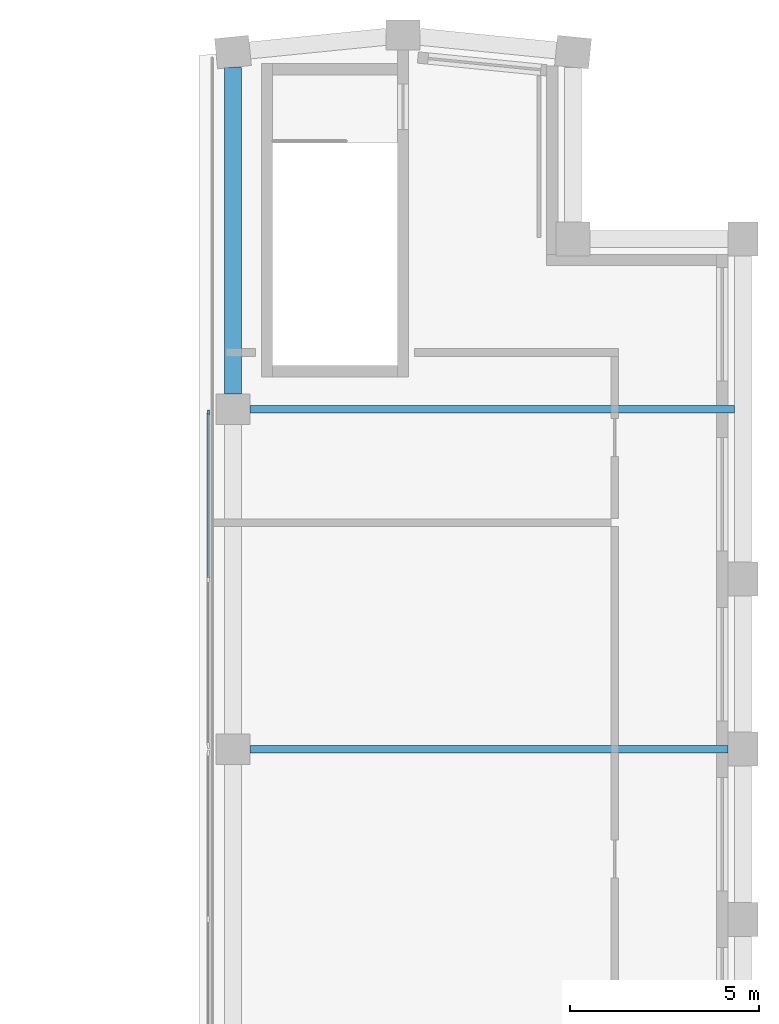
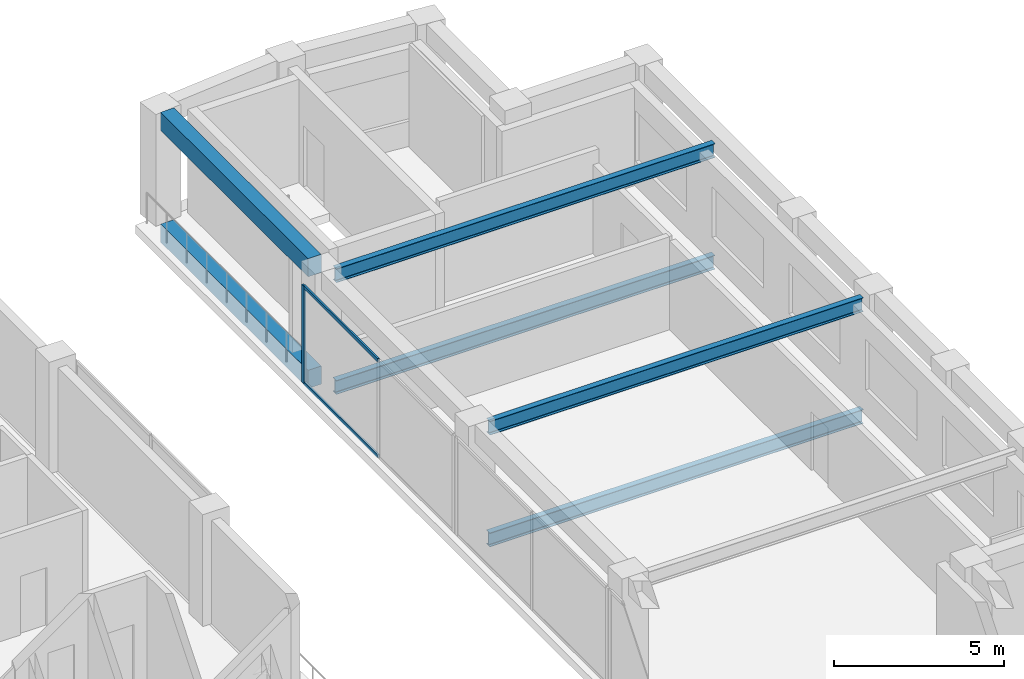
# One storey, part 5 of 9: 6 beams, 3 members, 1 element without a shape of its own.
"""IFC4 building model written with IfcOpenShell, lengths in metres."""

from ifc_helpers import new_model, si_unit, direction, frame, origin, origin_2d, place, context, subcontext, project, spatial, rectangle, i_section, extrude, material, material_profile, profile_set, type_object, element, aggregate, save


model = new_model("IFC4")

# Units and contexts
model_context = context("Model", 3, precision=1e-05, world=origin(), true_north=direction((0.0, 1.0)))
body_context = subcontext(model_context, "Body", "Model", "MODEL_VIEW")
ifc_project = project(units=[si_unit("LENGTHUNIT", "METRE"), si_unit("AREAUNIT", "SQUARE_METRE"), si_unit("VOLUMEUNIT", "CUBIC_METRE"), si_unit("PLANEANGLEUNIT", "RADIAN"), si_unit("MASSUNIT", "GRAM", prefix="KILO")], contexts=[model_context])

# Site, building, storey
site_placement = place(None, origin())
site = spatial("IfcSite", under=ifc_project, at=site_placement, CompositionType="ELEMENT")
building_placement = place(site_placement, origin())
building = spatial("IfcBuilding", under=site, at=building_placement, Name="Brondeck Convention Tower", CompositionType="ELEMENT")
storey_placement = place(building_placement, frame((0.0, 0.0, 294.800048828125)))
storey = spatial("IfcBuildingStorey", under=building, at=storey_placement, Name="L73", CompositionType="ELEMENT", Elevation=294.800048828125)

# Curtain wall, members
ifc_material_1 = material(Name="Aluminium, bronze anodised", Category="aluminium")
curtain_wall_type = type_object("IfcCurtainWallType", Name="Crown screen curtain wall", PredefinedType="NOTDEFINED", material=ifc_material_1)
curtain_wall_placement = place(storey_placement, origin())
curtain_wall = element("IfcCurtainWall", 1, at=curtain_wall_placement, inside=storey, type_object=curtain_wall_type, Name="ENV-CW4-L73-K2-SLOT-E-03", PredefinedType="NOTDEFINED")
ifc_material_profile_1 = material_profile(ifc_material_1, rectangle(XDim=0.06005859375, YDim=0.139892578125, at=origin_2d()), Name="CW4 mullion")
ifc_profile_set_1 = profile_set([ifc_material_profile_1], Name="Aluminium, bronze anodised")
member_type_1 = type_object("IfcMemberType", Name="CW4 mullion", PredefinedType="MULLION", material=ifc_profile_set_1)
member_1_placement = place(storey_placement, frame((21.85009765625, 53.909912109375, 0.0), z_axis=(0.0, 0.0, 1.0), x_axis=(-1.0, 0.0, 0.0)))
member_1 = element("IfcMember", 2, at=member_1_placement, type_object=member_type_1, Name="CW4 mullion 3", PredefinedType="MULLION", context=body_context, shape_type="SweptSolid", body=[
    extrude(rectangle(XDim=0.06005859375, YDim=0.139892578125, at=origin_2d()), origin(), (0.0, 0.0, 1.0), 3.5),
])
ifc_material_profile_2 = material_profile(ifc_material_1, rectangle(XDim=0.06005859375, YDim=0.1201171875, at=origin_2d()), Name="CW4 transom")
ifc_profile_set_2 = profile_set([ifc_material_profile_2], Name="Aluminium, bronze anodised")
member_type_2 = type_object("IfcMemberType", Name="CW4 transom", PredefinedType="USERDEFINED", material=ifc_profile_set_2)
member_2_placement = place(storey_placement, frame((21.85009765625, 49.530029296875, 0.030029296875), z_axis=(0.0, 1.0, 0.0), x_axis=(-1.0, 0.0, 0.0)))
member_2 = element("IfcMember", 3, at=member_2_placement, type_object=member_type_2, Name="CW4 transom 2.1", ObjectType="TRANSOM", PredefinedType="USERDEFINED", context=body_context, shape_type="SweptSolid", body=[
    extrude(rectangle(XDim=0.06005859375, YDim=0.1201171875, at=origin_2d()), origin(), (0.0, 0.0, 1.0), 4.349853515625),
])
member_3_placement = place(storey_placement, frame((21.85009765625, 49.530029296875, 3.469970703125), z_axis=(0.0, 1.0, 0.0), x_axis=(-1.0, 0.0, 0.0)))
member_3 = element("IfcMember", 4, at=member_3_placement, type_object=member_type_2, Name="CW4 transom 2.2", ObjectType="TRANSOM", PredefinedType="USERDEFINED", context=body_context, shape_type="SweptSolid", body=[
    extrude(rectangle(XDim=0.06005859375, YDim=0.1201171875, at=origin_2d()), origin(), (0.0, 0.0, 1.0), 4.349853515625),
])
aggregate(curtain_wall, [member_1, member_2, member_3])

# Beams
ifc_material_2 = material(Name="Steel S355", Category="steel")
ifc_material_profile_3 = material_profile(ifc_material_2, i_section(OverallWidth=0.199951171875, OverallDepth=0.5, WebThickness=0.01025390625, FlangeThickness=0.01611328125, FilletRadius=0.02099609375, at=origin_2d()), Name="IPE 500")
ifc_profile_set_3 = profile_set([ifc_material_profile_3], Name="Steel S355")
beam_type_1 = type_object("IfcBeamType", Name="Crown frame Floor beam IPE 500", PredefinedType="BEAM", material=ifc_profile_set_3)
beam_1_placement = place(storey_placement, frame((22.949951171875, 45.0, -0.550048828125), z_axis=(1.0, 0.0, 0.0), x_axis=(0.0, 1.0, 0.0)))
element("IfcBeam", 5, at=beam_1_placement, inside=storey, type_object=beam_type_1, Name="STR-FB-L73K2-002", PredefinedType="BEAM", context=body_context, shape_type="SweptSolid", body=[
    extrude(i_section(OverallWidth=0.199951171875, OverallDepth=0.5, WebThickness=0.01025390625, FlangeThickness=0.01611328125, FilletRadius=0.02099609375, at=origin_2d()), origin(), (0.0, 0.0, 1.0), 12.650146484375),
])
beam_2_placement = place(storey_placement, frame((22.949951171875, 54.0, -0.550048828125), z_axis=(1.0, 0.0, 0.0), x_axis=(0.0, 1.0, 0.0)))
element("IfcBeam", 6, at=beam_2_placement, inside=storey, type_object=beam_type_1, Name="STR-FB-L73K2-003", PredefinedType="BEAM", context=body_context, shape_type="SweptSolid", body=[
    extrude(i_section(OverallWidth=0.199951171875, OverallDepth=0.5, WebThickness=0.01025390625, FlangeThickness=0.01611328125, FilletRadius=0.02099609375, at=origin_2d()), origin(), (0.0, 0.0, 1.0), 12.824951171875),
])
beam_3_placement = place(storey_placement, frame((22.949951171875, 45.0, 3.449951171875), z_axis=(1.0, 0.0, 0.0), x_axis=(0.0, 1.0, 0.0)))
element("IfcBeam", 7, at=beam_3_placement, inside=storey, type_object=beam_type_1, Name="STR-FB-L73RP2-002", PredefinedType="BEAM", context=body_context, shape_type="SweptSolid", body=[
    extrude(i_section(OverallWidth=0.199951171875, OverallDepth=0.5, WebThickness=0.01025390625, FlangeThickness=0.01611328125, FilletRadius=0.02099609375, at=origin_2d()), origin(), (0.0, 0.0, 1.0), 12.650146484375),
])
beam_4_placement = place(storey_placement, frame((22.949951171875, 54.0, 3.449951171875), z_axis=(1.0, 0.0, 0.0), x_axis=(0.0, 1.0, 0.0)))
element("IfcBeam", 8, at=beam_4_placement, inside=storey, type_object=beam_type_1, Name="STR-FB-L73RP2-003", PredefinedType="BEAM", context=body_context, shape_type="SweptSolid", body=[
    extrude(i_section(OverallWidth=0.199951171875, OverallDepth=0.5, WebThickness=0.01025390625, FlangeThickness=0.01611328125, FilletRadius=0.02099609375, at=origin_2d()), origin(), (0.0, 0.0, 1.0), 12.824951171875),
])
ifc_material_3 = material(Name="Concrete C50/60", Category="concrete")
ifc_material_profile_4 = material_profile(ifc_material_3, rectangle(XDim=0.449951171875, YDim=0.64990234375, at=origin_2d()), Name="Precast spandrel 450x650 Concrete C50/60")
ifc_profile_set_4 = profile_set([ifc_material_profile_4], Name="Concrete C50/60")
beam_type_2 = type_object("IfcBeamType", Name="Precast spandrel 450x650 Concrete C50/60", PredefinedType="SPANDREL", material=ifc_profile_set_4)
for number, where, z_axis, x_axis, name in (
    (9, (22.5, 63.048095703125, -0.324951171875), (0.0, -1.0, 0.0), (1.0, 0.0, 0.0), "STR-SP-L73K2-014"),
    (10, (22.5, 63.048095703125, 3.675048828125), (0.0, -1.0, 0.0), (1.0, 0.0, 0.0), "STR-SP-L73RP2-014"),
):
    element("IfcBeam", number, at=place(storey_placement, frame(where, z_axis=z_axis, x_axis=x_axis)), inside=storey, type_object=beam_type_2, Name=name, PredefinedType="SPANDREL", context=body_context, shape_type="SweptSolid", body=[
        extrude(rectangle(XDim=0.449951171875, YDim=0.64990234375, at=origin_2d()), origin(), (0.0, 0.0, 1.0), 8.648193359375),
    ])

save(model, "model.ifc")
